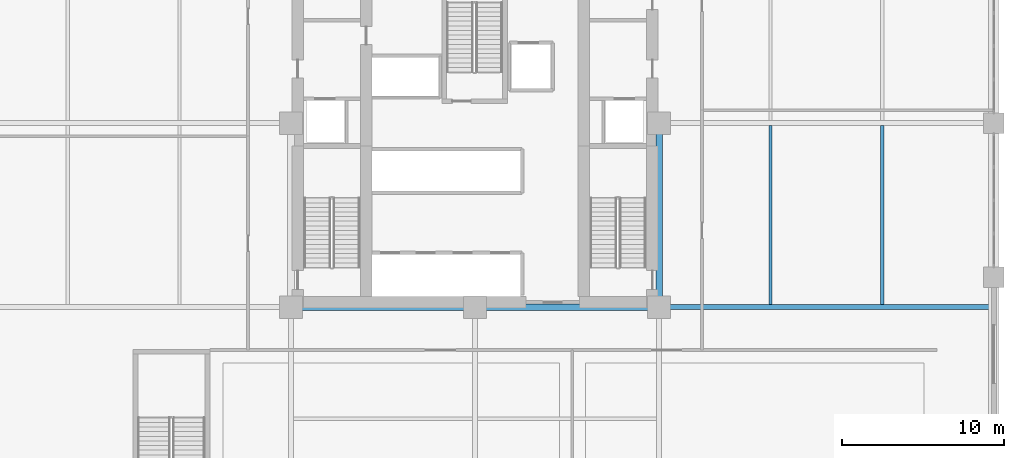
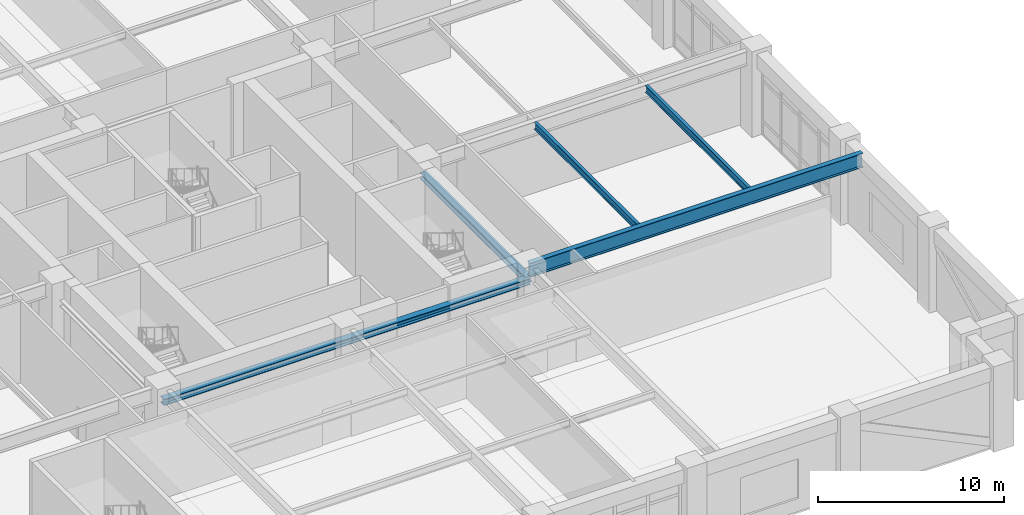
# One storey, part 5 of 21: 3 beams, 2 members.
"""IFC4 building model written with IfcOpenShell, lengths in metres."""

from ifc_helpers import new_model, si_unit, direction, frame, origin, origin_2d, place, context, subcontext, project, spatial, i_section, extrude, material, material_profile, profile_set, type_object, element, save


model = new_model("IFC4")

# Units and contexts
model_context = context("Model", 3, precision=1e-05, world=origin(), true_north=direction((0.0, 1.0)))
body_context = subcontext(model_context, "Body", "Model", "MODEL_VIEW")
ifc_project = project(units=[si_unit("LENGTHUNIT", "METRE"), si_unit("AREAUNIT", "SQUARE_METRE"), si_unit("VOLUMEUNIT", "CUBIC_METRE"), si_unit("PLANEANGLEUNIT", "RADIAN"), si_unit("MASSUNIT", "GRAM", prefix="KILO")], contexts=[model_context])

# Site, building, storey
site_placement = place(None, origin())
site = spatial("IfcSite", under=ifc_project, at=site_placement, CompositionType="ELEMENT")
building_placement = place(site_placement, origin())
building = spatial("IfcBuilding", under=site, at=building_placement, Name="Nhamokura Convention Tower", CompositionType="ELEMENT")
storey_placement = place(building_placement, frame((0.0, 0.0, 6.64990234375)))
storey = spatial("IfcBuildingStorey", under=building, at=storey_placement, Name="L01", CompositionType="ELEMENT", Elevation=6.64990234375)

# Beams
ifc_material_1 = material(Name="Steel ASTM A992 Gr 50", Category="steel")
ifc_material_profile_1 = material_profile(ifc_material_1, i_section(OverallWidth=0.19189453125, OverallDepth=0.462890625, WebThickness=0.010498046875, FlangeThickness=0.017578125, at=origin_2d()))
ifc_profile_set_1 = profile_set([ifc_material_profile_1], Name="Steel ASTM A992 Gr 50")
beam_type_1 = type_object("IfcBeamType", Name="FloorJoist_W460X89", PredefinedType="JOIST", material=ifc_profile_set_1)
for number, where, z_axis, x_axis, name in (
    (1, (50.2333984375, 20.802001953125, 5.128662109375), (0.0, 1.0, 0.0), (-1.0, 0.0, 0.0), "L01 Composite Floor Joist E1A"),
    (2, (57.11669921875, 20.802001953125, 5.128662109375), (0.0, 1.0, 0.0), (-1.0, 0.0, 0.0), "L01 Composite Floor Joist E2A"),
):
    element("IfcBeam", number, at=place(storey_placement, frame(where, z_axis=z_axis, x_axis=x_axis)), inside=storey, type_object=beam_type_1, Name=name, PredefinedType="JOIST", context=body_context, shape_type="SweptSolid", body=[
        extrude(i_section(OverallWidth=0.19189453125, OverallDepth=0.462890625, WebThickness=0.010498046875, FlangeThickness=0.017578125, at=origin_2d()), origin(), (0.0, 0.0, 1.0), 11.0458984375),
    ])
ifc_material_2 = material(Name="Steel ASTM A992 Gr 50", Category="steel")
ifc_material_profile_2 = material_profile(ifc_material_2, i_section(OverallWidth=0.30810546875, OverallDepth=0.927001953125, WebThickness=0.019287109375, FlangeThickness=0.031982421875, at=origin_2d()))
ifc_profile_set_2 = profile_set([ifc_material_profile_2], Name="Steel ASTM A992 Gr 50")
beam_type_2 = type_object("IfcBeamType", Name="HallGirder_W920X289", PredefinedType="BEAM", material=ifc_profile_set_2)
beam_placement = place(storey_placement, frame((43.35009765625, 20.64990234375, 4.896484375), z_axis=(1.0, 0.0, 0.0), x_axis=(0.0, 1.0, 0.0)))
element("IfcBeam", 3, at=beam_placement, inside=storey, type_object=beam_type_2, Name="L01 Primary Floor Girder PG-E1", PredefinedType="BEAM", context=body_context, shape_type="SweptSolid", body=[
    extrude(i_section(OverallWidth=0.30810546875, OverallDepth=0.927001953125, WebThickness=0.019287109375, FlangeThickness=0.031982421875, at=origin_2d()), origin(), (0.0, 0.0, 1.0), 20.64990234375),
])

# Members
ifc_material_3 = material(Name="Steel ASTM A572 Gr 50", Category="steel")
ifc_material_profile_3 = material_profile(ifc_material_3, i_section(OverallWidth=0.404052734375, OverallDepth=0.406982421875, WebThickness=0.027099609375, FlangeThickness=0.043701171875, at=origin_2d()))
ifc_profile_set_3 = profile_set([ifc_material_profile_3], Name="Steel ASTM A572 Gr 50")
member_type = type_object("IfcMemberType", Name="HallTrussChord_W360X347", PredefinedType="CHORD", material=ifc_profile_set_3)
member_1_placement = place(storey_placement, frame((20.64990234375, 20.64990234375, 4.210205078125), z_axis=(1.0, 0.0, 0.0), x_axis=(0.0, 1.0, 0.0)))
element("IfcMember", 4, at=member_1_placement, inside=storey, type_object=member_type, Name="L01 Convention Hall Truss Chord HTC-S", PredefinedType="CHORD", context=body_context, shape_type="SweptSolid", body=[
    extrude(i_section(OverallWidth=0.404052734375, OverallDepth=0.406982421875, WebThickness=0.027099609375, FlangeThickness=0.043701171875, at=origin_2d()), origin(), (0.0, 0.0, 1.0), 22.7001953125),
])
member_2_placement = place(storey_placement, frame((43.35009765625, 20.64990234375, 4.210205078125), z_axis=(0.0, 1.0, 0.0), x_axis=(-1.0, 0.0, 0.0)))
element("IfcMember", 5, at=member_2_placement, inside=storey, type_object=member_type, Name="L01 Convention Hall Truss Chord HTC-E", PredefinedType="CHORD", context=body_context, shape_type="SweptSolid", body=[
    extrude(i_section(OverallWidth=0.404052734375, OverallDepth=0.406982421875, WebThickness=0.027099609375, FlangeThickness=0.043701171875, at=origin_2d()), origin(), (0.0, 0.0, 1.0), 11.35009765625),
])

save(model, "model.ifc")
